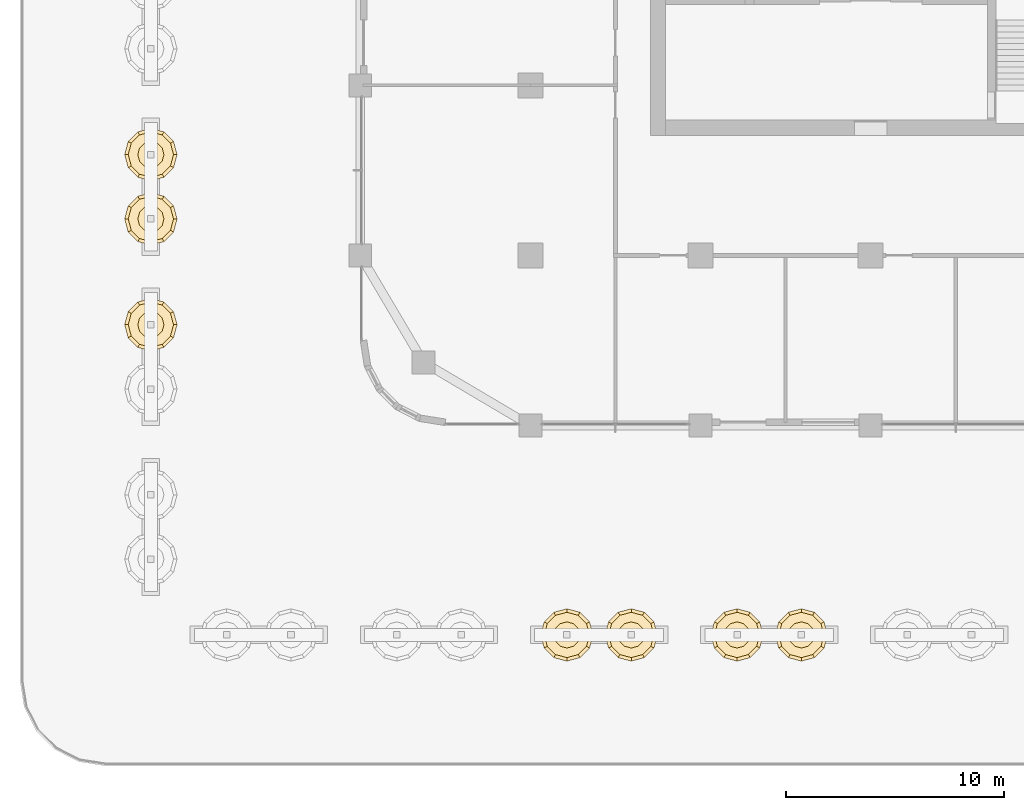
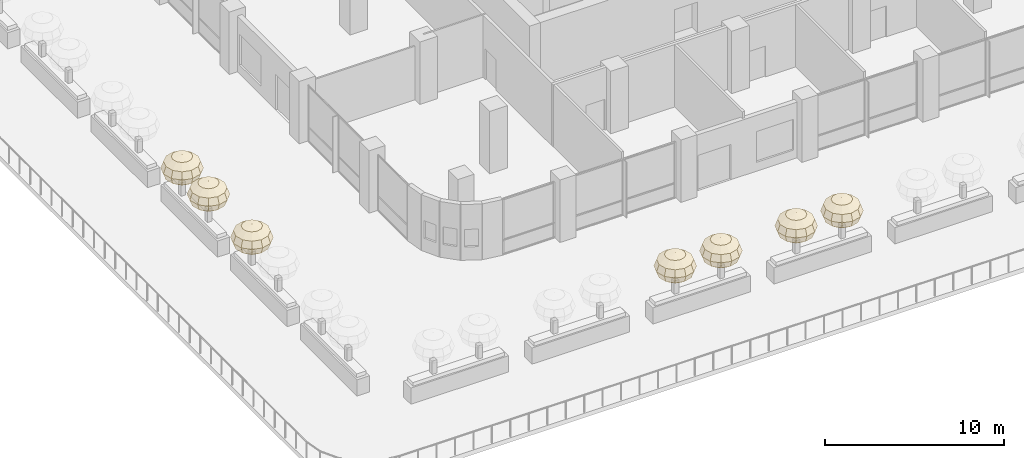
# One storey, part 27 of 31: 7 coverings.
"""IFC4 building model written with IfcOpenShell, lengths in metres."""

import ifcopenshell
import ifcopenshell.guid

model = None  # the IFC model being written
_history = None  # IfcOwnerHistory: only IFC2X3 demands one
_inside = {}  # id of a spatial element -> (the spatial element, [elements in it])
_under = {}  # id of a project, library or spatial element -> (it, [spatial elements below it])
_declared = {}  # id of a project -> (the project, [libraries it declares])
_typed = {}  # id of a type object -> (the type object, [elements of that type])
_made_of = {}  # id of a material, layer set ... -> (it, [elements and type objects made of it])


def new_model(schema):
    """Start an empty IFC model of exactly this schema.

    Asked for "IFC4X3", IfcOpenShell would pick the latest addendum, in which some entities
    have other attributes; the version numbers below select the first issue.
    IFC2X3 requires an IfcOwnerHistory on every rooted entity: one is made here for all.
    """
    global model, _history
    if schema == "IFC4X3":
        model = ifcopenshell.file(schema_version=(4, 3, 0, 0))
    else:
        model = ifcopenshell.file(schema=schema)
    _inside.clear()
    _under.clear()
    _declared.clear()
    _typed.clear()
    _made_of.clear()
    _history = None
    if model.schema == "IFC2X3":
        org = make("IfcOrganization", Name="unknown")
        user = make(
            "IfcPersonAndOrganization",
            ThePerson=make("IfcPerson", FamilyName="unknown"),
            TheOrganization=org,
        )
        app = make(
            "IfcApplication",
            ApplicationDeveloper=org,
            Version="unknown",
            ApplicationFullName="unknown",
            ApplicationIdentifier="unknown",
        )
        _history = make(
            "IfcOwnerHistory",
            OwningUser=user,
            OwningApplication=app,
            ChangeAction="ADDED",
            CreationDate=0,
        )
    return model


def make(cls, **values):
    """One entity of the class cls with the attributes given. An attribute that is None is left unset."""
    return model.create_entity(
        cls, **{name: value for name, value in values.items() if value is not None}
    )


def rooted(cls, **values):
    """An entity with a GlobalId (a new one), such as an element, a storey or a relation."""
    return make(cls, GlobalId=ifcopenshell.guid.new(), OwnerHistory=_history, **values)


def si_unit(unit_type, name, prefix=None):
    """IfcSIUnit, for example si_unit("LENGTHUNIT", "METRE", prefix="MILLI")."""
    return make("IfcSIUnit", UnitType=unit_type, Prefix=prefix, Name=name)


def assignment(units):
    """IfcUnitAssignment: the units of a project."""
    return None if units is None else make("IfcUnitAssignment", Units=units)


def point(xyz):
    """IfcCartesianPoint."""
    return None if xyz is None else make("IfcCartesianPoint", Coordinates=xyz)


def direction(xyz):
    """IfcDirection."""
    return None if xyz is None else make("IfcDirection", DirectionRatios=xyz)


def frame(location, z_axis=None, x_axis=None):
    """IfcAxis2Placement3D, a coordinate frame: its origin and axes. An axis left out is left unset."""
    return make(
        "IfcAxis2Placement3D",
        Location=point(location),
        Axis=direction(z_axis),
        RefDirection=direction(x_axis),
    )


def origin():
    """The frame at (0, 0, 0) with its axes left unset."""
    return frame((0.0, 0.0, 0.0))


def place(relative_to, where):
    """IfcLocalPlacement: puts the frame where relative to a parent placement (None: the world)."""
    return make(
        "IfcLocalPlacement", PlacementRelTo=relative_to, RelativePlacement=where
    )


def context(
    kind, dimensions, precision=None, world=None, true_north=None, identifier=None
):
    """IfcGeometricRepresentationContext, for example the 3D "Model" context."""
    return make(
        "IfcGeometricRepresentationContext",
        ContextIdentifier=identifier,
        ContextType=kind,
        CoordinateSpaceDimension=dimensions,
        Precision=precision,
        WorldCoordinateSystem=world,
        TrueNorth=true_north,
    )


def subcontext(parent, identifier, kind, view, scale=None):
    """IfcGeometricRepresentationSubContext, for example "Body" below "Model"."""
    return make(
        "IfcGeometricRepresentationSubContext",
        ContextIdentifier=identifier,
        ContextType=kind,
        ParentContext=parent,
        TargetScale=scale,
        TargetView=view,
    )


def project(units=None, contexts=None):
    """IfcProject with its units and contexts."""
    return rooted(
        "IfcProject",
        Name="project",
        RepresentationContexts=contexts,
        UnitsInContext=assignment(units),
    )


def spatial(cls, under=None, at=None, **own):
    """A site, building, storey or space (cls), placed at a placement, below another one or the project."""
    s = rooted(cls, ObjectPlacement=at, **own)
    if under is not None:
        _under.setdefault(under.id(), (under, []))[1].append(s)
    return s


def point_list(points):
    """IfcCartesianPointList2D or 3D."""
    cls = (
        "IfcCartesianPointList2D" if len(points[0]) == 2 else "IfcCartesianPointList3D"
    )
    return make(cls, CoordList=points)


def triangles(points, corners, closed=None, point_numbers=None):
    """IfcTriangulatedFaceSet: each triangle names its three corners, points numbered from 1."""
    return make(
        "IfcTriangulatedFaceSet",
        Coordinates=point_list(points),
        Closed=closed,
        CoordIndex=corners,
        PnIndex=point_numbers,
    )


def shape(context_of_items, identifier, shape_type, items):
    """IfcShapeRepresentation: the items that make up one representation, for example the "Body"."""
    return make(
        "IfcShapeRepresentation",
        ContextOfItems=context_of_items,
        RepresentationIdentifier=identifier,
        RepresentationType=shape_type,
        Items=items,
    )


def material(Name=None, Category=None):
    """IfcMaterial."""
    return make("IfcMaterial", Name=Name, Category=Category)


def layer(
    of_material, thickness, ventilated=None, Name=None, Category=None, Priority=None
):
    """IfcMaterialLayer: one layer of a wall or slab, of a material (None: an air gap)."""
    return make(
        "IfcMaterialLayer",
        Material=of_material,
        LayerThickness=thickness,
        IsVentilated=ventilated,
        Name=Name,
        Category=Category,
        Priority=Priority,
    )


def layer_set(layers, Name=None):
    """IfcMaterialLayerSet."""
    return make("IfcMaterialLayerSet", MaterialLayers=layers, LayerSetName=Name)


def made_of(thing, what):
    """Note that an element or type object is made of a material, layer set ...; save() writes the relation."""
    if what is not None:
        _made_of.setdefault(what.id(), (what, []))[1].append(thing)
    return thing


def type_object(cls, material=None, **own):
    """A type object (cls), such as IfcWallType, which elements share."""
    return made_of(rooted(cls, **own), material)


def element(
    cls,
    number,
    at=None,
    inside=None,
    cuts=None,
    type_object=None,
    material=None,
    context=None,
    identifier="Body",
    shape_type=None,
    held_by="IfcProductDefinitionShape",
    body=None,
    shapes=None,
    **own,
):
    """One element of the class cls, such as IfcWall. Its Tag is "e" and its number.

    at: its placement. inside: the storey or other place that contains it. cuts: it is an
    opening in that element (IfcRelVoidsElement). A single representation is given by context,
    identifier, shape_type and body (its items); several are given by shapes. held_by: the class
    of the entity that holds the representations. save() writes the other relations.
    """
    e = rooted(cls, Tag="e%d" % number, ObjectPlacement=at, **own)
    if body is not None:
        shapes = [shape(context, identifier, shape_type, body)]
    if shapes is not None:
        e.Representation = make(held_by, Representations=shapes)
    if inside is not None:
        _inside.setdefault(inside.id(), (inside, []))[1].append(e)
    if cuts is not None:
        rooted(
            "IfcRelVoidsElement", RelatingBuildingElement=cuts, RelatedOpeningElement=e
        )
    if type_object is not None:
        _typed.setdefault(type_object.id(), (type_object, []))[1].append(e)
    return made_of(e, material)


def aggregate(whole, parts):
    """IfcRelAggregates: a whole, such as a stair, and the parts it consists of."""
    return rooted("IfcRelAggregates", RelatingObject=whole, RelatedObjects=parts)


def save(model, path):
    """Write the relations noted so far, then the file.

    IfcRelAggregates (storeys below a building ...), IfcRelContainedInSpatialStructure (elements
    in a storey), IfcRelDefinesByType, IfcRelAssociatesMaterial and IfcRelDeclares: one each for
    every whole, place, type object, material and project.
    """
    for whole, parts in _under.values():
        aggregate(whole, parts)
    for where, things in _inside.values():
        rooted(
            "IfcRelContainedInSpatialStructure",
            RelatedElements=things,
            RelatingStructure=where,
        )
    for kind, things in _typed.values():
        rooted("IfcRelDefinesByType", RelatedObjects=things, RelatingType=kind)
    for what, things in _made_of.values():
        rooted("IfcRelAssociatesMaterial", RelatedObjects=things, RelatingMaterial=what)
    for by, libraries in _declared.values():
        rooted("IfcRelDeclares", RelatingContext=by, RelatedDefinitions=libraries)
    model.write(path)


model = new_model("IFC4")

# Units and contexts
model_context = context("Model", 3, precision=1e-05, world=origin(), true_north=direction((0.0, 1.0)))
body_context = subcontext(model_context, "Body", "Model", "MODEL_VIEW")
ifc_project = project(units=[si_unit("LENGTHUNIT", "METRE"), si_unit("AREAUNIT", "SQUARE_METRE"), si_unit("VOLUMEUNIT", "CUBIC_METRE"), si_unit("PLANEANGLEUNIT", "RADIAN"), si_unit("MASSUNIT", "GRAM", prefix="KILO")], contexts=[model_context])

# Site, building, storey
site_placement = place(None, origin())
site = spatial("IfcSite", under=ifc_project, at=site_placement, CompositionType="ELEMENT")
building_placement = place(site_placement, origin())
building = spatial("IfcBuilding", under=site, at=building_placement, Name="Ludao Terraces", CompositionType="ELEMENT")
storey_placement = place(building_placement, frame((0.0, 0.0, 15.0)))
storey = spatial("IfcBuildingStorey", under=building, at=storey_placement, Name="L03", CompositionType="ELEMENT", Elevation=15.0)

# Coverings
ifc_material = material(Name="Planting")
ifc_layer = layer(ifc_material, 2.39990234375)
ifc_layer_set = layer_set([ifc_layer], Name="ENV Terrace tree crown 2400")
covering_type = type_object("IfcCoveringType", Name="ENV Terrace tree crown 2400", PredefinedType="USERDEFINED", material=ifc_layer_set)
covering_1_placement = place(storey_placement, frame((71.074951171875, 32.0, 3.14990234375)))
element("IfcCovering", 1, at=covering_1_placement, inside=storey, type_object=covering_type, Name="Terrace tree crown L03-T3.1", ObjectType="PLANTING", PredefinedType="USERDEFINED", context=body_context, shape_type="Tessellation", body=[
    triangles([(0.0, 0.0, 0.89990234375), (0.599853515625, 0.0, 0.779296875), (0.51953125, 0.300048828125, 0.779296875), (0.300048828125, 0.51953125, 0.779296875), (0.0, 0.599853515625, 0.779296875), (-0.300048828125, 0.51953125, 0.779296875), (-0.51953125, 0.300048828125, 0.779296875), (-0.599853515625, 0.0, 0.779296875), (-0.51953125, -0.300048828125, 0.779296875), (-0.300048828125, -0.51953125, 0.779296875), (0.0, -0.599853515625, 0.779296875), (0.300048828125, -0.51953125, 0.779296875), (0.51953125, -0.300048828125, 0.779296875), (1.039306640625, 0.0, 0.449951171875), (0.89990234375, 0.51953125, 0.449951171875), (0.51953125, 0.89990234375, 0.449951171875), (0.0, 1.039306640625, 0.449951171875), (-0.51953125, 0.89990234375, 0.449951171875), (-0.89990234375, 0.51953125, 0.449951171875), (-1.039306640625, 0.0, 0.449951171875), (-0.89990234375, -0.51953125, 0.449951171875), (-0.51953125, -0.89990234375, 0.449951171875), (0.0, -1.039306640625, 0.449951171875), (0.51953125, -0.89990234375, 0.449951171875), (0.89990234375, -0.51953125, 0.449951171875), (1.199951171875, 0.0, 0.0), (1.039306640625, 0.599853515625, 0.0), (0.60009765625, 1.039306640625, 0.0), (0.0, 1.199951171875, 0.0), (-0.599853515625, 1.039306640625, 0.0), (-1.039306640625, 0.599853515625, 0.0), (-1.199951171875, 0.0, 0.0), (-1.039306640625, -0.599853515625, 0.0), (-0.60009765625, -1.039306640625, 0.0), (0.0, -1.199951171875, 0.0), (0.60009765625, -1.039306640625, 0.0), (1.039306640625, -0.60009765625, 0.0), (1.039306640625, 0.0, -0.449951171875), (0.89990234375, 0.51953125, -0.449951171875), (0.51953125, 0.89990234375, -0.449951171875), (0.0, 1.039306640625, -0.449951171875), (-0.51953125, 0.89990234375, -0.449951171875), (-0.89990234375, 0.51953125, -0.449951171875), (-1.039306640625, 0.0, -0.449951171875), (-0.89990234375, -0.51953125, -0.449951171875), (-0.51953125, -0.89990234375, -0.449951171875), (0.0, -1.039306640625, -0.449951171875), (0.51953125, -0.89990234375, -0.449951171875), (0.89990234375, -0.51953125, -0.449951171875), (0.599853515625, 0.0, -0.779296875), (0.51953125, 0.300048828125, -0.779296875), (0.300048828125, 0.51953125, -0.779296875), (0.0, 0.599853515625, -0.779296875), (-0.300048828125, 0.51953125, -0.779296875), (-0.51953125, 0.300048828125, -0.779296875), (-0.599853515625, 0.0, -0.779296875), (-0.51953125, -0.300048828125, -0.779296875), (-0.300048828125, -0.51953125, -0.779296875), (0.0, -0.599853515625, -0.779296875), (0.300048828125, -0.51953125, -0.779296875), (0.51953125, -0.300048828125, -0.779296875), (0.0, 0.0, -0.89990234375)], [[1, 2, 3], [1, 3, 4], [1, 4, 5], [1, 5, 6], [1, 6, 7], [1, 7, 8], [1, 8, 9], [1, 9, 10], [1, 10, 11], [1, 11, 12], [1, 12, 13], [1, 13, 2], [2, 14, 15], [2, 15, 3], [3, 15, 16], [3, 16, 4], [4, 16, 17], [4, 17, 5], [5, 17, 18], [5, 18, 6], [6, 18, 19], [6, 19, 7], [7, 19, 20], [7, 20, 8], [8, 20, 21], [8, 21, 9], [9, 21, 22], [9, 22, 10], [10, 22, 23], [10, 23, 11], [11, 23, 24], [11, 24, 12], [12, 24, 25], [12, 25, 13], [13, 25, 14], [13, 14, 2], [14, 26, 27], [14, 27, 15], [15, 27, 28], [15, 28, 16], [16, 28, 29], [16, 29, 17], [17, 29, 30], [17, 30, 18], [18, 30, 31], [18, 31, 19], [19, 31, 32], [19, 32, 20], [20, 32, 33], [20, 33, 21], [21, 33, 34], [21, 34, 22], [22, 34, 35], [22, 35, 23], [23, 35, 36], [23, 36, 24], [24, 36, 37], [24, 37, 25], [25, 37, 26], [25, 26, 14], [26, 38, 39], [26, 39, 27], [27, 39, 40], [27, 40, 28], [28, 40, 41], [28, 41, 29], [29, 41, 42], [29, 42, 30], [30, 42, 43], [30, 43, 31], [31, 43, 44], [31, 44, 32], [32, 44, 45], [32, 45, 33], [33, 45, 46], [33, 46, 34], [34, 46, 47], [34, 47, 35], [35, 47, 48], [35, 48, 36], [36, 48, 49], [36, 49, 37], [37, 49, 38], [37, 38, 26], [38, 50, 51], [38, 51, 39], [39, 51, 52], [39, 52, 40], [40, 52, 53], [40, 53, 41], [41, 53, 54], [41, 54, 42], [42, 54, 55], [42, 55, 43], [43, 55, 56], [43, 56, 44], [44, 56, 57], [44, 57, 45], [45, 57, 58], [45, 58, 46], [46, 58, 59], [46, 59, 47], [47, 59, 60], [47, 60, 48], [48, 60, 61], [48, 61, 49], [49, 61, 50], [49, 50, 38], [62, 51, 50], [62, 52, 51], [62, 53, 52], [62, 54, 53], [62, 55, 54], [62, 56, 55], [62, 57, 56], [62, 58, 57], [62, 59, 58], [62, 60, 59], [62, 61, 60], [62, 50, 61]], closed=True),
])
covering_2_placement = place(storey_placement, frame((74.02490234375, 32.0, 3.14990234375)))
element("IfcCovering", 2, at=covering_2_placement, inside=storey, type_object=covering_type, Name="Terrace tree crown L03-T3.2", ObjectType="PLANTING", PredefinedType="USERDEFINED", context=body_context, shape_type="Tessellation", body=[
    triangles([(0.0, 0.0, 0.89990234375), (0.599853515625, 0.0, 0.779296875), (0.51953125, 0.300048828125, 0.779296875), (0.300048828125, 0.51953125, 0.779296875), (0.0, 0.599853515625, 0.779296875), (-0.300048828125, 0.51953125, 0.779296875), (-0.51953125, 0.300048828125, 0.779296875), (-0.599853515625, 0.0, 0.779296875), (-0.51953125, -0.300048828125, 0.779296875), (-0.300048828125, -0.51953125, 0.779296875), (0.0, -0.599853515625, 0.779296875), (0.300048828125, -0.51953125, 0.779296875), (0.51953125, -0.300048828125, 0.779296875), (1.039306640625, 0.0, 0.449951171875), (0.89990234375, 0.51953125, 0.449951171875), (0.51953125, 0.89990234375, 0.449951171875), (0.0, 1.039306640625, 0.449951171875), (-0.51953125, 0.89990234375, 0.449951171875), (-0.89990234375, 0.51953125, 0.449951171875), (-1.039306640625, 0.0, 0.449951171875), (-0.89990234375, -0.51953125, 0.449951171875), (-0.51953125, -0.89990234375, 0.449951171875), (0.0, -1.039306640625, 0.449951171875), (0.51953125, -0.89990234375, 0.449951171875), (0.89990234375, -0.51953125, 0.449951171875), (1.199951171875, 0.0, 0.0), (1.039306640625, 0.599853515625, 0.0), (0.60009765625, 1.039306640625, 0.0), (0.0, 1.199951171875, 0.0), (-0.599853515625, 1.039306640625, 0.0), (-1.039306640625, 0.599853515625, 0.0), (-1.199951171875, 0.0, 0.0), (-1.039306640625, -0.599853515625, 0.0), (-0.60009765625, -1.039306640625, 0.0), (0.0, -1.199951171875, 0.0), (0.60009765625, -1.039306640625, 0.0), (1.039306640625, -0.60009765625, 0.0), (1.039306640625, 0.0, -0.449951171875), (0.89990234375, 0.51953125, -0.449951171875), (0.51953125, 0.89990234375, -0.449951171875), (0.0, 1.039306640625, -0.449951171875), (-0.51953125, 0.89990234375, -0.449951171875), (-0.89990234375, 0.51953125, -0.449951171875), (-1.039306640625, 0.0, -0.449951171875), (-0.89990234375, -0.51953125, -0.449951171875), (-0.51953125, -0.89990234375, -0.449951171875), (0.0, -1.039306640625, -0.449951171875), (0.51953125, -0.89990234375, -0.449951171875), (0.89990234375, -0.51953125, -0.449951171875), (0.599853515625, 0.0, -0.779296875), (0.51953125, 0.300048828125, -0.779296875), (0.300048828125, 0.51953125, -0.779296875), (0.0, 0.599853515625, -0.779296875), (-0.300048828125, 0.51953125, -0.779296875), (-0.51953125, 0.300048828125, -0.779296875), (-0.599853515625, 0.0, -0.779296875), (-0.51953125, -0.300048828125, -0.779296875), (-0.300048828125, -0.51953125, -0.779296875), (0.0, -0.599853515625, -0.779296875), (0.300048828125, -0.51953125, -0.779296875), (0.51953125, -0.300048828125, -0.779296875), (0.0, 0.0, -0.89990234375)], [[1, 2, 3], [1, 3, 4], [1, 4, 5], [1, 5, 6], [1, 6, 7], [1, 7, 8], [1, 8, 9], [1, 9, 10], [1, 10, 11], [1, 11, 12], [1, 12, 13], [1, 13, 2], [2, 14, 15], [2, 15, 3], [3, 15, 16], [3, 16, 4], [4, 16, 17], [4, 17, 5], [5, 17, 18], [5, 18, 6], [6, 18, 19], [6, 19, 7], [7, 19, 20], [7, 20, 8], [8, 20, 21], [8, 21, 9], [9, 21, 22], [9, 22, 10], [10, 22, 23], [10, 23, 11], [11, 23, 24], [11, 24, 12], [12, 24, 25], [12, 25, 13], [13, 25, 14], [13, 14, 2], [14, 26, 27], [14, 27, 15], [15, 27, 28], [15, 28, 16], [16, 28, 29], [16, 29, 17], [17, 29, 30], [17, 30, 18], [18, 30, 31], [18, 31, 19], [19, 31, 32], [19, 32, 20], [20, 32, 33], [20, 33, 21], [21, 33, 34], [21, 34, 22], [22, 34, 35], [22, 35, 23], [23, 35, 36], [23, 36, 24], [24, 36, 37], [24, 37, 25], [25, 37, 26], [25, 26, 14], [26, 38, 39], [26, 39, 27], [27, 39, 40], [27, 40, 28], [28, 40, 41], [28, 41, 29], [29, 41, 42], [29, 42, 30], [30, 42, 43], [30, 43, 31], [31, 43, 44], [31, 44, 32], [32, 44, 45], [32, 45, 33], [33, 45, 46], [33, 46, 34], [34, 46, 47], [34, 47, 35], [35, 47, 48], [35, 48, 36], [36, 48, 49], [36, 49, 37], [37, 49, 38], [37, 38, 26], [38, 50, 51], [38, 51, 39], [39, 51, 52], [39, 52, 40], [40, 52, 53], [40, 53, 41], [41, 53, 54], [41, 54, 42], [42, 54, 55], [42, 55, 43], [43, 55, 56], [43, 56, 44], [44, 56, 57], [44, 57, 45], [45, 57, 58], [45, 58, 46], [46, 58, 59], [46, 59, 47], [47, 59, 60], [47, 60, 48], [48, 60, 61], [48, 61, 49], [49, 61, 50], [49, 50, 38], [62, 51, 50], [62, 52, 51], [62, 53, 52], [62, 54, 53], [62, 55, 54], [62, 56, 55], [62, 57, 56], [62, 58, 57], [62, 59, 58], [62, 60, 59], [62, 61, 60], [62, 50, 61]], closed=True),
])
covering_3_placement = place(storey_placement, frame((78.875, 32.0, 3.14990234375)))
element("IfcCovering", 3, at=covering_3_placement, inside=storey, type_object=covering_type, Name="Terrace tree crown L03-T4.1", ObjectType="PLANTING", PredefinedType="USERDEFINED", context=body_context, shape_type="Tessellation", body=[
    triangles([(0.0, 0.0, 0.89990234375), (0.599853515625, 0.0, 0.779296875), (0.51953125, 0.300048828125, 0.779296875), (0.300048828125, 0.51953125, 0.779296875), (0.0, 0.599853515625, 0.779296875), (-0.300048828125, 0.51953125, 0.779296875), (-0.51953125, 0.300048828125, 0.779296875), (-0.599853515625, 0.0, 0.779296875), (-0.51953125, -0.300048828125, 0.779296875), (-0.300048828125, -0.51953125, 0.779296875), (0.0, -0.599853515625, 0.779296875), (0.300048828125, -0.51953125, 0.779296875), (0.51953125, -0.300048828125, 0.779296875), (1.039306640625, 0.0, 0.449951171875), (0.89990234375, 0.51953125, 0.449951171875), (0.51953125, 0.89990234375, 0.449951171875), (0.0, 1.039306640625, 0.449951171875), (-0.51953125, 0.89990234375, 0.449951171875), (-0.89990234375, 0.51953125, 0.449951171875), (-1.039306640625, 0.0, 0.449951171875), (-0.89990234375, -0.51953125, 0.449951171875), (-0.51953125, -0.89990234375, 0.449951171875), (0.0, -1.039306640625, 0.449951171875), (0.51953125, -0.89990234375, 0.449951171875), (0.89990234375, -0.51953125, 0.449951171875), (1.199951171875, 0.0, 0.0), (1.039306640625, 0.599853515625, 0.0), (0.60009765625, 1.039306640625, 0.0), (0.0, 1.199951171875, 0.0), (-0.599853515625, 1.039306640625, 0.0), (-1.039306640625, 0.599853515625, 0.0), (-1.199951171875, 0.0, 0.0), (-1.039306640625, -0.599853515625, 0.0), (-0.60009765625, -1.039306640625, 0.0), (0.0, -1.199951171875, 0.0), (0.60009765625, -1.039306640625, 0.0), (1.039306640625, -0.60009765625, 0.0), (1.039306640625, 0.0, -0.449951171875), (0.89990234375, 0.51953125, -0.449951171875), (0.51953125, 0.89990234375, -0.449951171875), (0.0, 1.039306640625, -0.449951171875), (-0.51953125, 0.89990234375, -0.449951171875), (-0.89990234375, 0.51953125, -0.449951171875), (-1.039306640625, 0.0, -0.449951171875), (-0.89990234375, -0.51953125, -0.449951171875), (-0.51953125, -0.89990234375, -0.449951171875), (0.0, -1.039306640625, -0.449951171875), (0.51953125, -0.89990234375, -0.449951171875), (0.89990234375, -0.51953125, -0.449951171875), (0.599853515625, 0.0, -0.779296875), (0.51953125, 0.300048828125, -0.779296875), (0.300048828125, 0.51953125, -0.779296875), (0.0, 0.599853515625, -0.779296875), (-0.300048828125, 0.51953125, -0.779296875), (-0.51953125, 0.300048828125, -0.779296875), (-0.599853515625, 0.0, -0.779296875), (-0.51953125, -0.300048828125, -0.779296875), (-0.300048828125, -0.51953125, -0.779296875), (0.0, -0.599853515625, -0.779296875), (0.300048828125, -0.51953125, -0.779296875), (0.51953125, -0.300048828125, -0.779296875), (0.0, 0.0, -0.89990234375)], [[1, 2, 3], [1, 3, 4], [1, 4, 5], [1, 5, 6], [1, 6, 7], [1, 7, 8], [1, 8, 9], [1, 9, 10], [1, 10, 11], [1, 11, 12], [1, 12, 13], [1, 13, 2], [2, 14, 15], [2, 15, 3], [3, 15, 16], [3, 16, 4], [4, 16, 17], [4, 17, 5], [5, 17, 18], [5, 18, 6], [6, 18, 19], [6, 19, 7], [7, 19, 20], [7, 20, 8], [8, 20, 21], [8, 21, 9], [9, 21, 22], [9, 22, 10], [10, 22, 23], [10, 23, 11], [11, 23, 24], [11, 24, 12], [12, 24, 25], [12, 25, 13], [13, 25, 14], [13, 14, 2], [14, 26, 27], [14, 27, 15], [15, 27, 28], [15, 28, 16], [16, 28, 29], [16, 29, 17], [17, 29, 30], [17, 30, 18], [18, 30, 31], [18, 31, 19], [19, 31, 32], [19, 32, 20], [20, 32, 33], [20, 33, 21], [21, 33, 34], [21, 34, 22], [22, 34, 35], [22, 35, 23], [23, 35, 36], [23, 36, 24], [24, 36, 37], [24, 37, 25], [25, 37, 26], [25, 26, 14], [26, 38, 39], [26, 39, 27], [27, 39, 40], [27, 40, 28], [28, 40, 41], [28, 41, 29], [29, 41, 42], [29, 42, 30], [30, 42, 43], [30, 43, 31], [31, 43, 44], [31, 44, 32], [32, 44, 45], [32, 45, 33], [33, 45, 46], [33, 46, 34], [34, 46, 47], [34, 47, 35], [35, 47, 48], [35, 48, 36], [36, 48, 49], [36, 49, 37], [37, 49, 38], [37, 38, 26], [38, 50, 51], [38, 51, 39], [39, 51, 52], [39, 52, 40], [40, 52, 53], [40, 53, 41], [41, 53, 54], [41, 54, 42], [42, 54, 55], [42, 55, 43], [43, 55, 56], [43, 56, 44], [44, 56, 57], [44, 57, 45], [45, 57, 58], [45, 58, 46], [46, 58, 59], [46, 59, 47], [47, 59, 60], [47, 60, 48], [48, 60, 61], [48, 61, 49], [49, 61, 50], [49, 50, 38], [62, 51, 50], [62, 52, 51], [62, 53, 52], [62, 54, 53], [62, 55, 54], [62, 56, 55], [62, 57, 56], [62, 58, 57], [62, 59, 58], [62, 60, 59], [62, 61, 60], [62, 50, 61]], closed=True),
])
covering_4_placement = place(storey_placement, frame((81.824951171875, 32.0, 3.14990234375)))
element("IfcCovering", 4, at=covering_4_placement, inside=storey, type_object=covering_type, Name="Terrace tree crown L03-T4.2", ObjectType="PLANTING", PredefinedType="USERDEFINED", context=body_context, shape_type="Tessellation", body=[
    triangles([(0.0, 0.0, 0.89990234375), (0.599853515625, 0.0, 0.779296875), (0.51953125, 0.300048828125, 0.779296875), (0.300048828125, 0.51953125, 0.779296875), (0.0, 0.599853515625, 0.779296875), (-0.300048828125, 0.51953125, 0.779296875), (-0.51953125, 0.300048828125, 0.779296875), (-0.599853515625, 0.0, 0.779296875), (-0.51953125, -0.300048828125, 0.779296875), (-0.300048828125, -0.51953125, 0.779296875), (0.0, -0.599853515625, 0.779296875), (0.300048828125, -0.51953125, 0.779296875), (0.51953125, -0.300048828125, 0.779296875), (1.039306640625, 0.0, 0.449951171875), (0.89990234375, 0.51953125, 0.449951171875), (0.51953125, 0.89990234375, 0.449951171875), (0.0, 1.039306640625, 0.449951171875), (-0.51953125, 0.89990234375, 0.449951171875), (-0.89990234375, 0.51953125, 0.449951171875), (-1.039306640625, 0.0, 0.449951171875), (-0.89990234375, -0.51953125, 0.449951171875), (-0.51953125, -0.89990234375, 0.449951171875), (0.0, -1.039306640625, 0.449951171875), (0.51953125, -0.89990234375, 0.449951171875), (0.89990234375, -0.51953125, 0.449951171875), (1.199951171875, 0.0, 0.0), (1.039306640625, 0.599853515625, 0.0), (0.60009765625, 1.039306640625, 0.0), (0.0, 1.199951171875, 0.0), (-0.599853515625, 1.039306640625, 0.0), (-1.039306640625, 0.599853515625, 0.0), (-1.199951171875, 0.0, 0.0), (-1.039306640625, -0.599853515625, 0.0), (-0.60009765625, -1.039306640625, 0.0), (0.0, -1.199951171875, 0.0), (0.60009765625, -1.039306640625, 0.0), (1.039306640625, -0.60009765625, 0.0), (1.039306640625, 0.0, -0.449951171875), (0.89990234375, 0.51953125, -0.449951171875), (0.51953125, 0.89990234375, -0.449951171875), (0.0, 1.039306640625, -0.449951171875), (-0.51953125, 0.89990234375, -0.449951171875), (-0.89990234375, 0.51953125, -0.449951171875), (-1.039306640625, 0.0, -0.449951171875), (-0.89990234375, -0.51953125, -0.449951171875), (-0.51953125, -0.89990234375, -0.449951171875), (0.0, -1.039306640625, -0.449951171875), (0.51953125, -0.89990234375, -0.449951171875), (0.89990234375, -0.51953125, -0.449951171875), (0.599853515625, 0.0, -0.779296875), (0.51953125, 0.300048828125, -0.779296875), (0.300048828125, 0.51953125, -0.779296875), (0.0, 0.599853515625, -0.779296875), (-0.300048828125, 0.51953125, -0.779296875), (-0.51953125, 0.300048828125, -0.779296875), (-0.599853515625, 0.0, -0.779296875), (-0.51953125, -0.300048828125, -0.779296875), (-0.300048828125, -0.51953125, -0.779296875), (0.0, -0.599853515625, -0.779296875), (0.300048828125, -0.51953125, -0.779296875), (0.51953125, -0.300048828125, -0.779296875), (0.0, 0.0, -0.89990234375)], [[1, 2, 3], [1, 3, 4], [1, 4, 5], [1, 5, 6], [1, 6, 7], [1, 7, 8], [1, 8, 9], [1, 9, 10], [1, 10, 11], [1, 11, 12], [1, 12, 13], [1, 13, 2], [2, 14, 15], [2, 15, 3], [3, 15, 16], [3, 16, 4], [4, 16, 17], [4, 17, 5], [5, 17, 18], [5, 18, 6], [6, 18, 19], [6, 19, 7], [7, 19, 20], [7, 20, 8], [8, 20, 21], [8, 21, 9], [9, 21, 22], [9, 22, 10], [10, 22, 23], [10, 23, 11], [11, 23, 24], [11, 24, 12], [12, 24, 25], [12, 25, 13], [13, 25, 14], [13, 14, 2], [14, 26, 27], [14, 27, 15], [15, 27, 28], [15, 28, 16], [16, 28, 29], [16, 29, 17], [17, 29, 30], [17, 30, 18], [18, 30, 31], [18, 31, 19], [19, 31, 32], [19, 32, 20], [20, 32, 33], [20, 33, 21], [21, 33, 34], [21, 34, 22], [22, 34, 35], [22, 35, 23], [23, 35, 36], [23, 36, 24], [24, 36, 37], [24, 37, 25], [25, 37, 26], [25, 26, 14], [26, 38, 39], [26, 39, 27], [27, 39, 40], [27, 40, 28], [28, 40, 41], [28, 41, 29], [29, 41, 42], [29, 42, 30], [30, 42, 43], [30, 43, 31], [31, 43, 44], [31, 44, 32], [32, 44, 45], [32, 45, 33], [33, 45, 46], [33, 46, 34], [34, 46, 47], [34, 47, 35], [35, 47, 48], [35, 48, 36], [36, 48, 49], [36, 49, 37], [37, 49, 38], [37, 38, 26], [38, 50, 51], [38, 51, 39], [39, 51, 52], [39, 52, 40], [40, 52, 53], [40, 53, 41], [41, 53, 54], [41, 54, 42], [42, 54, 55], [42, 55, 43], [43, 55, 56], [43, 56, 44], [44, 56, 57], [44, 57, 45], [45, 57, 58], [45, 58, 46], [46, 58, 59], [46, 59, 47], [47, 59, 60], [47, 60, 48], [48, 60, 61], [48, 61, 49], [49, 61, 50], [49, 50, 38], [62, 51, 50], [62, 52, 51], [62, 53, 52], [62, 54, 53], [62, 55, 54], [62, 56, 55], [62, 57, 56], [62, 58, 57], [62, 59, 58], [62, 60, 59], [62, 61, 60], [62, 50, 61]], closed=True),
])
covering_5_placement = place(storey_placement, frame((52.0, 46.22509765625, 3.14990234375)))
element("IfcCovering", 5, at=covering_5_placement, inside=storey, type_object=covering_type, Name="Terrace tree crown L03-T10.2", ObjectType="PLANTING", PredefinedType="USERDEFINED", context=body_context, shape_type="Tessellation", body=[
    triangles([(0.0, 0.0, 0.89990234375), (0.599853515625, 0.0, 0.779296875), (0.51953125, 0.300048828125, 0.779296875), (0.300048828125, 0.51953125, 0.779296875), (0.0, 0.599853515625, 0.779296875), (-0.300048828125, 0.51953125, 0.779296875), (-0.51953125, 0.300048828125, 0.779296875), (-0.599853515625, 0.0, 0.779296875), (-0.51953125, -0.300048828125, 0.779296875), (-0.300048828125, -0.51953125, 0.779296875), (0.0, -0.599853515625, 0.779296875), (0.300048828125, -0.51953125, 0.779296875), (0.51953125, -0.300048828125, 0.779296875), (1.039306640625, 0.0, 0.449951171875), (0.89990234375, 0.51953125, 0.449951171875), (0.51953125, 0.89990234375, 0.449951171875), (0.0, 1.039306640625, 0.449951171875), (-0.51953125, 0.89990234375, 0.449951171875), (-0.89990234375, 0.51953125, 0.449951171875), (-1.039306640625, 0.0, 0.449951171875), (-0.89990234375, -0.51953125, 0.449951171875), (-0.51953125, -0.89990234375, 0.449951171875), (0.0, -1.039306640625, 0.449951171875), (0.51953125, -0.89990234375, 0.449951171875), (0.89990234375, -0.51953125, 0.449951171875), (1.199951171875, 0.0, 0.0), (1.039306640625, 0.599853515625, 0.0), (0.60009765625, 1.039306640625, 0.0), (0.0, 1.199951171875, 0.0), (-0.599853515625, 1.039306640625, 0.0), (-1.039306640625, 0.599853515625, 0.0), (-1.199951171875, 0.0, 0.0), (-1.039306640625, -0.599853515625, 0.0), (-0.60009765625, -1.039306640625, 0.0), (0.0, -1.199951171875, 0.0), (0.60009765625, -1.039306640625, 0.0), (1.039306640625, -0.60009765625, 0.0), (1.039306640625, 0.0, -0.449951171875), (0.89990234375, 0.51953125, -0.449951171875), (0.51953125, 0.89990234375, -0.449951171875), (0.0, 1.039306640625, -0.449951171875), (-0.51953125, 0.89990234375, -0.449951171875), (-0.89990234375, 0.51953125, -0.449951171875), (-1.039306640625, 0.0, -0.449951171875), (-0.89990234375, -0.51953125, -0.449951171875), (-0.51953125, -0.89990234375, -0.449951171875), (0.0, -1.039306640625, -0.449951171875), (0.51953125, -0.89990234375, -0.449951171875), (0.89990234375, -0.51953125, -0.449951171875), (0.599853515625, 0.0, -0.779296875), (0.51953125, 0.300048828125, -0.779296875), (0.300048828125, 0.51953125, -0.779296875), (0.0, 0.599853515625, -0.779296875), (-0.300048828125, 0.51953125, -0.779296875), (-0.51953125, 0.300048828125, -0.779296875), (-0.599853515625, 0.0, -0.779296875), (-0.51953125, -0.300048828125, -0.779296875), (-0.300048828125, -0.51953125, -0.779296875), (0.0, -0.599853515625, -0.779296875), (0.300048828125, -0.51953125, -0.779296875), (0.51953125, -0.300048828125, -0.779296875), (0.0, 0.0, -0.89990234375)], [[1, 2, 3], [1, 3, 4], [1, 4, 5], [1, 5, 6], [1, 6, 7], [1, 7, 8], [1, 8, 9], [1, 9, 10], [1, 10, 11], [1, 11, 12], [1, 12, 13], [1, 13, 2], [2, 14, 15], [2, 15, 3], [3, 15, 16], [3, 16, 4], [4, 16, 17], [4, 17, 5], [5, 17, 18], [5, 18, 6], [6, 18, 19], [6, 19, 7], [7, 19, 20], [7, 20, 8], [8, 20, 21], [8, 21, 9], [9, 21, 22], [9, 22, 10], [10, 22, 23], [10, 23, 11], [11, 23, 24], [11, 24, 12], [12, 24, 25], [12, 25, 13], [13, 25, 14], [13, 14, 2], [14, 26, 27], [14, 27, 15], [15, 27, 28], [15, 28, 16], [16, 28, 29], [16, 29, 17], [17, 29, 30], [17, 30, 18], [18, 30, 31], [18, 31, 19], [19, 31, 32], [19, 32, 20], [20, 32, 33], [20, 33, 21], [21, 33, 34], [21, 34, 22], [22, 34, 35], [22, 35, 23], [23, 35, 36], [23, 36, 24], [24, 36, 37], [24, 37, 25], [25, 37, 26], [25, 26, 14], [26, 38, 39], [26, 39, 27], [27, 39, 40], [27, 40, 28], [28, 40, 41], [28, 41, 29], [29, 41, 42], [29, 42, 30], [30, 42, 43], [30, 43, 31], [31, 43, 44], [31, 44, 32], [32, 44, 45], [32, 45, 33], [33, 45, 46], [33, 46, 34], [34, 46, 47], [34, 47, 35], [35, 47, 48], [35, 48, 36], [36, 48, 49], [36, 49, 37], [37, 49, 38], [37, 38, 26], [38, 50, 51], [38, 51, 39], [39, 51, 52], [39, 52, 40], [40, 52, 53], [40, 53, 41], [41, 53, 54], [41, 54, 42], [42, 54, 55], [42, 55, 43], [43, 55, 56], [43, 56, 44], [44, 56, 57], [44, 57, 45], [45, 57, 58], [45, 58, 46], [46, 58, 59], [46, 59, 47], [47, 59, 60], [47, 60, 48], [48, 60, 61], [48, 61, 49], [49, 61, 50], [49, 50, 38], [62, 51, 50], [62, 52, 51], [62, 53, 52], [62, 54, 53], [62, 55, 54], [62, 56, 55], [62, 57, 56], [62, 58, 57], [62, 59, 58], [62, 60, 59], [62, 61, 60], [62, 50, 61]], closed=True),
])
covering_6_placement = place(storey_placement, frame((52.0, 51.074951171875, 3.14990234375)))
element("IfcCovering", 6, at=covering_6_placement, inside=storey, type_object=covering_type, Name="Terrace tree crown L03-T11.1", ObjectType="PLANTING", PredefinedType="USERDEFINED", context=body_context, shape_type="Tessellation", body=[
    triangles([(0.0, 0.0, 0.89990234375), (0.599853515625, 0.0, 0.779296875), (0.51953125, 0.300048828125, 0.779296875), (0.300048828125, 0.51953125, 0.779296875), (0.0, 0.599853515625, 0.779296875), (-0.300048828125, 0.51953125, 0.779296875), (-0.51953125, 0.300048828125, 0.779296875), (-0.599853515625, 0.0, 0.779296875), (-0.51953125, -0.300048828125, 0.779296875), (-0.300048828125, -0.51953125, 0.779296875), (0.0, -0.599853515625, 0.779296875), (0.300048828125, -0.51953125, 0.779296875), (0.51953125, -0.300048828125, 0.779296875), (1.039306640625, 0.0, 0.449951171875), (0.89990234375, 0.51953125, 0.449951171875), (0.51953125, 0.89990234375, 0.449951171875), (0.0, 1.039306640625, 0.449951171875), (-0.51953125, 0.89990234375, 0.449951171875), (-0.89990234375, 0.51953125, 0.449951171875), (-1.039306640625, 0.0, 0.449951171875), (-0.89990234375, -0.51953125, 0.449951171875), (-0.51953125, -0.89990234375, 0.449951171875), (0.0, -1.039306640625, 0.449951171875), (0.51953125, -0.89990234375, 0.449951171875), (0.89990234375, -0.51953125, 0.449951171875), (1.199951171875, 0.0, 0.0), (1.039306640625, 0.599853515625, 0.0), (0.60009765625, 1.039306640625, 0.0), (0.0, 1.199951171875, 0.0), (-0.599853515625, 1.039306640625, 0.0), (-1.039306640625, 0.599853515625, 0.0), (-1.199951171875, 0.0, 0.0), (-1.039306640625, -0.599853515625, 0.0), (-0.60009765625, -1.039306640625, 0.0), (0.0, -1.199951171875, 0.0), (0.60009765625, -1.039306640625, 0.0), (1.039306640625, -0.60009765625, 0.0), (1.039306640625, 0.0, -0.449951171875), (0.89990234375, 0.51953125, -0.449951171875), (0.51953125, 0.89990234375, -0.449951171875), (0.0, 1.039306640625, -0.449951171875), (-0.51953125, 0.89990234375, -0.449951171875), (-0.89990234375, 0.51953125, -0.449951171875), (-1.039306640625, 0.0, -0.449951171875), (-0.89990234375, -0.51953125, -0.449951171875), (-0.51953125, -0.89990234375, -0.449951171875), (0.0, -1.039306640625, -0.449951171875), (0.51953125, -0.89990234375, -0.449951171875), (0.89990234375, -0.51953125, -0.449951171875), (0.599853515625, 0.0, -0.779296875), (0.51953125, 0.300048828125, -0.779296875), (0.300048828125, 0.51953125, -0.779296875), (0.0, 0.599853515625, -0.779296875), (-0.300048828125, 0.51953125, -0.779296875), (-0.51953125, 0.300048828125, -0.779296875), (-0.599853515625, 0.0, -0.779296875), (-0.51953125, -0.300048828125, -0.779296875), (-0.300048828125, -0.51953125, -0.779296875), (0.0, -0.599853515625, -0.779296875), (0.300048828125, -0.51953125, -0.779296875), (0.51953125, -0.300048828125, -0.779296875), (0.0, 0.0, -0.89990234375)], [[1, 2, 3], [1, 3, 4], [1, 4, 5], [1, 5, 6], [1, 6, 7], [1, 7, 8], [1, 8, 9], [1, 9, 10], [1, 10, 11], [1, 11, 12], [1, 12, 13], [1, 13, 2], [2, 14, 15], [2, 15, 3], [3, 15, 16], [3, 16, 4], [4, 16, 17], [4, 17, 5], [5, 17, 18], [5, 18, 6], [6, 18, 19], [6, 19, 7], [7, 19, 20], [7, 20, 8], [8, 20, 21], [8, 21, 9], [9, 21, 22], [9, 22, 10], [10, 22, 23], [10, 23, 11], [11, 23, 24], [11, 24, 12], [12, 24, 25], [12, 25, 13], [13, 25, 14], [13, 14, 2], [14, 26, 27], [14, 27, 15], [15, 27, 28], [15, 28, 16], [16, 28, 29], [16, 29, 17], [17, 29, 30], [17, 30, 18], [18, 30, 31], [18, 31, 19], [19, 31, 32], [19, 32, 20], [20, 32, 33], [20, 33, 21], [21, 33, 34], [21, 34, 22], [22, 34, 35], [22, 35, 23], [23, 35, 36], [23, 36, 24], [24, 36, 37], [24, 37, 25], [25, 37, 26], [25, 26, 14], [26, 38, 39], [26, 39, 27], [27, 39, 40], [27, 40, 28], [28, 40, 41], [28, 41, 29], [29, 41, 42], [29, 42, 30], [30, 42, 43], [30, 43, 31], [31, 43, 44], [31, 44, 32], [32, 44, 45], [32, 45, 33], [33, 45, 46], [33, 46, 34], [34, 46, 47], [34, 47, 35], [35, 47, 48], [35, 48, 36], [36, 48, 49], [36, 49, 37], [37, 49, 38], [37, 38, 26], [38, 50, 51], [38, 51, 39], [39, 51, 52], [39, 52, 40], [40, 52, 53], [40, 53, 41], [41, 53, 54], [41, 54, 42], [42, 54, 55], [42, 55, 43], [43, 55, 56], [43, 56, 44], [44, 56, 57], [44, 57, 45], [45, 57, 58], [45, 58, 46], [46, 58, 59], [46, 59, 47], [47, 59, 60], [47, 60, 48], [48, 60, 61], [48, 61, 49], [49, 61, 50], [49, 50, 38], [62, 51, 50], [62, 52, 51], [62, 53, 52], [62, 54, 53], [62, 55, 54], [62, 56, 55], [62, 57, 56], [62, 58, 57], [62, 59, 58], [62, 60, 59], [62, 61, 60], [62, 50, 61]], closed=True),
])
covering_7_placement = place(storey_placement, frame((52.0, 54.02490234375, 3.14990234375)))
element("IfcCovering", 7, at=covering_7_placement, inside=storey, type_object=covering_type, Name="Terrace tree crown L03-T11.2", ObjectType="PLANTING", PredefinedType="USERDEFINED", context=body_context, shape_type="Tessellation", body=[
    triangles([(0.0, 0.0, 0.89990234375), (0.599853515625, 0.0, 0.779296875), (0.51953125, 0.300048828125, 0.779296875), (0.300048828125, 0.51953125, 0.779296875), (0.0, 0.599853515625, 0.779296875), (-0.300048828125, 0.51953125, 0.779296875), (-0.51953125, 0.300048828125, 0.779296875), (-0.599853515625, 0.0, 0.779296875), (-0.51953125, -0.300048828125, 0.779296875), (-0.300048828125, -0.51953125, 0.779296875), (0.0, -0.599853515625, 0.779296875), (0.300048828125, -0.51953125, 0.779296875), (0.51953125, -0.300048828125, 0.779296875), (1.039306640625, 0.0, 0.449951171875), (0.89990234375, 0.51953125, 0.449951171875), (0.51953125, 0.89990234375, 0.449951171875), (0.0, 1.039306640625, 0.449951171875), (-0.51953125, 0.89990234375, 0.449951171875), (-0.89990234375, 0.51953125, 0.449951171875), (-1.039306640625, 0.0, 0.449951171875), (-0.89990234375, -0.51953125, 0.449951171875), (-0.51953125, -0.89990234375, 0.449951171875), (0.0, -1.039306640625, 0.449951171875), (0.51953125, -0.89990234375, 0.449951171875), (0.89990234375, -0.51953125, 0.449951171875), (1.199951171875, 0.0, 0.0), (1.039306640625, 0.599853515625, 0.0), (0.60009765625, 1.039306640625, 0.0), (0.0, 1.199951171875, 0.0), (-0.599853515625, 1.039306640625, 0.0), (-1.039306640625, 0.599853515625, 0.0), (-1.199951171875, 0.0, 0.0), (-1.039306640625, -0.599853515625, 0.0), (-0.60009765625, -1.039306640625, 0.0), (0.0, -1.199951171875, 0.0), (0.60009765625, -1.039306640625, 0.0), (1.039306640625, -0.60009765625, 0.0), (1.039306640625, 0.0, -0.449951171875), (0.89990234375, 0.51953125, -0.449951171875), (0.51953125, 0.89990234375, -0.449951171875), (0.0, 1.039306640625, -0.449951171875), (-0.51953125, 0.89990234375, -0.449951171875), (-0.89990234375, 0.51953125, -0.449951171875), (-1.039306640625, 0.0, -0.449951171875), (-0.89990234375, -0.51953125, -0.449951171875), (-0.51953125, -0.89990234375, -0.449951171875), (0.0, -1.039306640625, -0.449951171875), (0.51953125, -0.89990234375, -0.449951171875), (0.89990234375, -0.51953125, -0.449951171875), (0.599853515625, 0.0, -0.779296875), (0.51953125, 0.300048828125, -0.779296875), (0.300048828125, 0.51953125, -0.779296875), (0.0, 0.599853515625, -0.779296875), (-0.300048828125, 0.51953125, -0.779296875), (-0.51953125, 0.300048828125, -0.779296875), (-0.599853515625, 0.0, -0.779296875), (-0.51953125, -0.300048828125, -0.779296875), (-0.300048828125, -0.51953125, -0.779296875), (0.0, -0.599853515625, -0.779296875), (0.300048828125, -0.51953125, -0.779296875), (0.51953125, -0.300048828125, -0.779296875), (0.0, 0.0, -0.89990234375)], [[1, 2, 3], [1, 3, 4], [1, 4, 5], [1, 5, 6], [1, 6, 7], [1, 7, 8], [1, 8, 9], [1, 9, 10], [1, 10, 11], [1, 11, 12], [1, 12, 13], [1, 13, 2], [2, 14, 15], [2, 15, 3], [3, 15, 16], [3, 16, 4], [4, 16, 17], [4, 17, 5], [5, 17, 18], [5, 18, 6], [6, 18, 19], [6, 19, 7], [7, 19, 20], [7, 20, 8], [8, 20, 21], [8, 21, 9], [9, 21, 22], [9, 22, 10], [10, 22, 23], [10, 23, 11], [11, 23, 24], [11, 24, 12], [12, 24, 25], [12, 25, 13], [13, 25, 14], [13, 14, 2], [14, 26, 27], [14, 27, 15], [15, 27, 28], [15, 28, 16], [16, 28, 29], [16, 29, 17], [17, 29, 30], [17, 30, 18], [18, 30, 31], [18, 31, 19], [19, 31, 32], [19, 32, 20], [20, 32, 33], [20, 33, 21], [21, 33, 34], [21, 34, 22], [22, 34, 35], [22, 35, 23], [23, 35, 36], [23, 36, 24], [24, 36, 37], [24, 37, 25], [25, 37, 26], [25, 26, 14], [26, 38, 39], [26, 39, 27], [27, 39, 40], [27, 40, 28], [28, 40, 41], [28, 41, 29], [29, 41, 42], [29, 42, 30], [30, 42, 43], [30, 43, 31], [31, 43, 44], [31, 44, 32], [32, 44, 45], [32, 45, 33], [33, 45, 46], [33, 46, 34], [34, 46, 47], [34, 47, 35], [35, 47, 48], [35, 48, 36], [36, 48, 49], [36, 49, 37], [37, 49, 38], [37, 38, 26], [38, 50, 51], [38, 51, 39], [39, 51, 52], [39, 52, 40], [40, 52, 53], [40, 53, 41], [41, 53, 54], [41, 54, 42], [42, 54, 55], [42, 55, 43], [43, 55, 56], [43, 56, 44], [44, 56, 57], [44, 57, 45], [45, 57, 58], [45, 58, 46], [46, 58, 59], [46, 59, 47], [47, 59, 60], [47, 60, 48], [48, 60, 61], [48, 61, 49], [49, 61, 50], [49, 50, 38], [62, 51, 50], [62, 52, 51], [62, 53, 52], [62, 54, 53], [62, 55, 54], [62, 56, 55], [62, 57, 56], [62, 58, 57], [62, 59, 58], [62, 60, 59], [62, 61, 60], [62, 50, 61]], closed=True),
])

save(model, "model.ifc")
